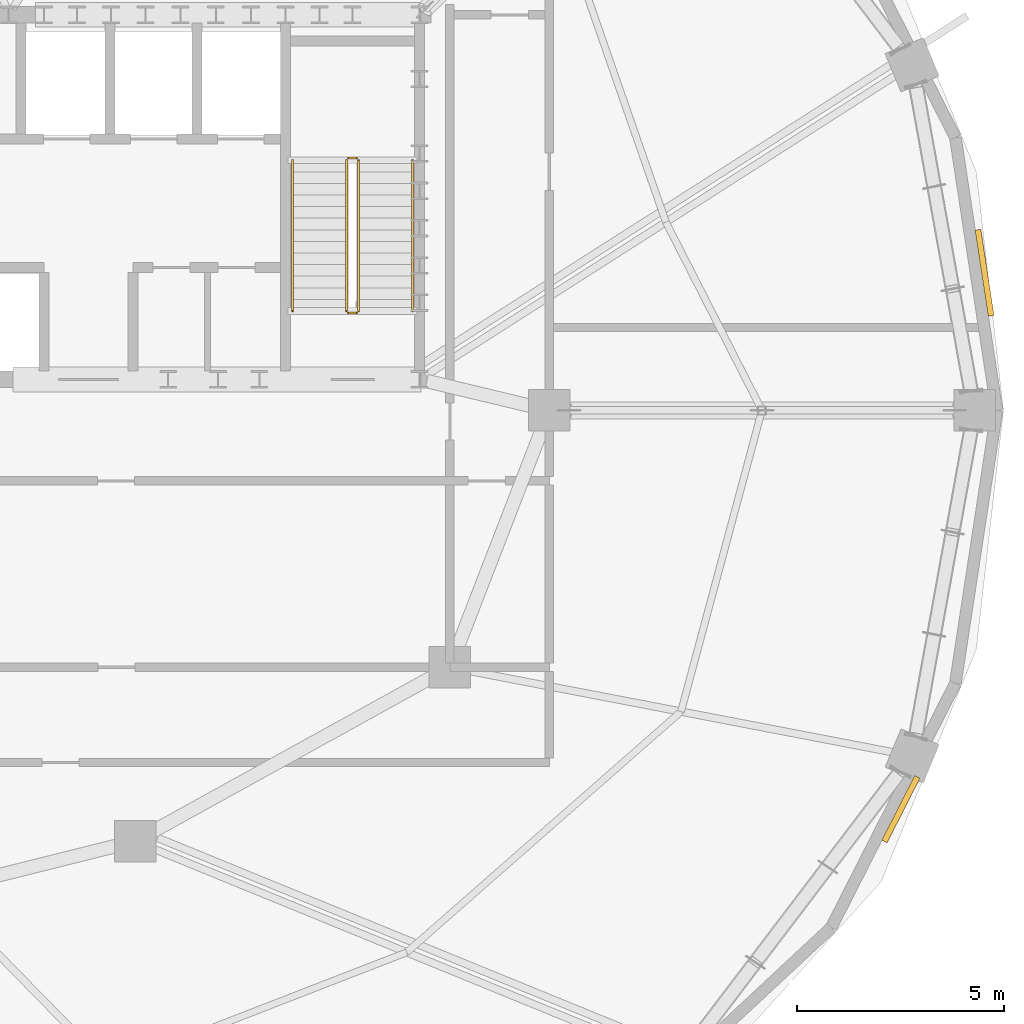
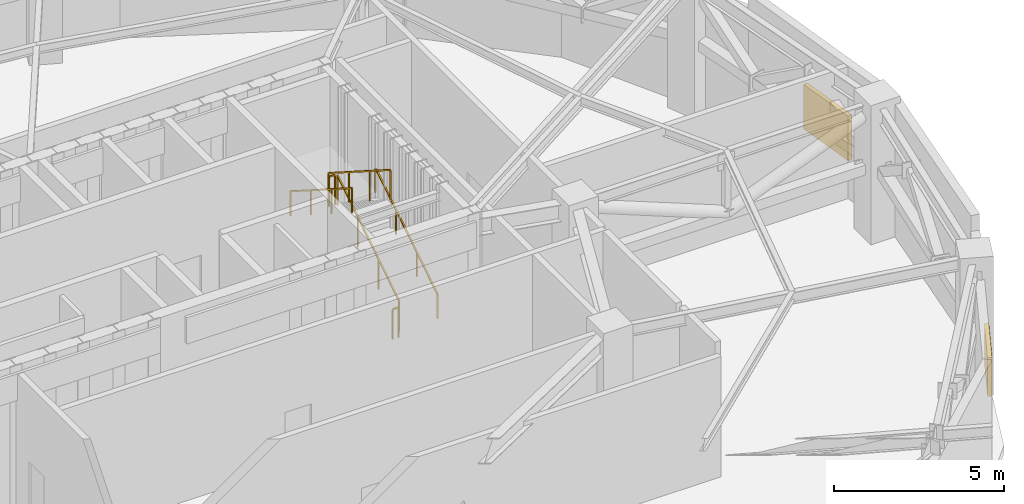
# One storey, part 19 of 20: 6 railings, 2 shading devices.
"""IFC4 building model written with IfcOpenShell, lengths in metres."""

from ifc_helpers import new_model, si_unit, direction, frame, origin, origin_2d, place, context, subcontext, project, spatial, rectangle, extrude, material, type_object, element, save


model = new_model("IFC4")

# Units and contexts
model_context = context("Model", 3, precision=1e-05, world=origin(), true_north=direction((0.0, 1.0)))
body_context = subcontext(model_context, "Body", "Model", "MODEL_VIEW")
ifc_project = project(units=[si_unit("LENGTHUNIT", "METRE"), si_unit("AREAUNIT", "SQUARE_METRE"), si_unit("VOLUMEUNIT", "CUBIC_METRE"), si_unit("PLANEANGLEUNIT", "RADIAN"), si_unit("MASSUNIT", "GRAM", prefix="KILO")], contexts=[model_context])

# Site, building, storey
site_placement = place(None, origin())
site = spatial("IfcSite", under=ifc_project, at=site_placement, CompositionType="ELEMENT")
building_placement = place(site_placement, origin())
building = spatial("IfcBuilding", under=site, at=building_placement, Name="Haldorwick Loom Tower", CompositionType="ELEMENT")
storey_placement = place(building_placement, frame((0.0, 0.0, 222.10009765625)))
storey = spatial("IfcBuildingStorey", under=building, at=storey_placement, Name="L60", CompositionType="ELEMENT", Elevation=222.10009765625)

# Railings
ifc_material_1 = material(Name="Steel CSA G40.21 350W", Category="steel")
railing_type_1 = type_object("IfcRailingType", Name="ARC-RLG-GUARD112", PredefinedType="GUARDRAIL", material=ifc_material_1)
railing_1_placement = place(storey_placement, frame((48.60009765625, 28.39990234375, 0.178466796875)))
element("IfcRailing", 1, at=railing_1_placement, inside=storey, type_object=railing_type_1, Name="L60 ST-02 stair guard 1", PredefinedType="GUARDRAIL", context=body_context, shape_type="SweptSolid", body=[
    extrude(rectangle(XDim=0.048095703125, YDim=0.048095703125, at=origin_2d()), frame((0.0, 0.0, 1.076171875), z_axis=(0.0, 0.843127859045, 0.537713132908), x_axis=(-1.0, 0.0, 0.0)), (0.0, 0.0, 1.0), 4.3173828125),
    extrude(rectangle(XDim=0.0419921875, YDim=0.0419921875, at=origin_2d()), origin(), (0.0, 0.0, 1.0), 1.052001953125),
    extrude(rectangle(XDim=0.0419921875, YDim=0.0419921875, at=origin_2d()), frame((0.0, 1.21337890625, 0.77392578125)), (0.0, 0.0, 1.0), 1.052001953125),
    extrude(rectangle(XDim=0.0419921875, YDim=0.0419921875, at=origin_2d()), frame((0.0, 2.4267578125, 1.547607421875)), (0.0, 0.0, 1.0), 1.052001953125),
    extrude(rectangle(XDim=0.0419921875, YDim=0.0419921875, at=origin_2d()), frame((0.0, 3.64013671875, 2.321533203125)), (0.0, 0.0, 1.0), 1.052001953125),
])
railing_2_placement = place(storey_placement, frame((48.550048828125, 32.090087890625, 2.5)))
element("IfcRailing", 2, at=railing_2_placement, inside=storey, type_object=railing_type_1, Name="L60 ST-02 stair guard 2", PredefinedType="GUARDRAIL", context=body_context, shape_type="SweptSolid", body=[
    extrude(rectangle(XDim=0.048095703125, YDim=0.048095703125, at=origin_2d()), frame((0.0, 0.0, 1.076171875), z_axis=(-1.0, 0.0, 0.0), x_axis=(0.0, -1.0, 0.0)), (0.0, 0.0, 1.0), 0.199951171875),
    extrude(rectangle(XDim=0.0419921875, YDim=0.0419921875, at=origin_2d()), origin(), (0.0, 0.0, 1.0), 1.052001953125),
    extrude(rectangle(XDim=0.0419921875, YDim=0.0419921875, at=origin_2d()), frame((-0.199951171875, 0.0, 0.0)), (0.0, 0.0, 1.0), 1.052001953125),
])
railing_3_placement = place(storey_placement, frame((48.300048828125, 32.0400390625, 2.678466796875)))
element("IfcRailing", 3, at=railing_3_placement, inside=storey, type_object=railing_type_1, Name="L60 ST-02 stair guard 3", PredefinedType="GUARDRAIL", context=body_context, shape_type="SweptSolid", body=[
    extrude(rectangle(XDim=0.048095703125, YDim=0.048095703125, at=origin_2d()), frame((0.0, 0.0, 1.076171875), z_axis=(0.0, -0.843127859045, 0.537713132908), x_axis=(1.0, 0.0, 0.0)), (0.0, 0.0, 1.0), 4.3173828125),
    extrude(rectangle(XDim=0.0419921875, YDim=0.0419921875, at=origin_2d()), origin(), (0.0, 0.0, 1.0), 1.052001953125),
    extrude(rectangle(XDim=0.0419921875, YDim=0.0419921875, at=origin_2d()), frame((0.0, -1.21337890625, 0.77392578125)), (0.0, 0.0, 1.0), 1.052001953125),
    extrude(rectangle(XDim=0.0419921875, YDim=0.0419921875, at=origin_2d()), frame((0.0, -2.4267578125, 1.547607421875)), (0.0, 0.0, 1.0), 1.052001953125),
    extrude(rectangle(XDim=0.0419921875, YDim=0.0419921875, at=origin_2d()), frame((0.0, -3.64013671875, 2.321533203125)), (0.0, 0.0, 1.0), 1.052001953125),
])
railing_4_placement = place(storey_placement, frame((48.550048828125, 28.35009765625, 0.0)))
element("IfcRailing", 4, at=railing_4_placement, inside=storey, type_object=railing_type_1, Name="L60 ST-02 stair guard 4", PredefinedType="GUARDRAIL", context=body_context, shape_type="SweptSolid", body=[
    extrude(rectangle(XDim=0.048095703125, YDim=0.048095703125, at=origin_2d()), frame((0.0, 0.0, 1.076171875), z_axis=(-1.0, 0.0, 0.0), x_axis=(0.0, -1.0, 0.0)), (0.0, 0.0, 1.0), 0.199951171875),
    extrude(rectangle(XDim=0.0419921875, YDim=0.0419921875, at=origin_2d()), origin(), (0.0, 0.0, 1.0), 1.052001953125),
    extrude(rectangle(XDim=0.0419921875, YDim=0.0419921875, at=origin_2d()), frame((-0.199951171875, 0.0, 0.0)), (0.0, 0.0, 1.0), 1.052001953125),
])
railing_type_2 = type_object("IfcRailingType", Name="ARC-RLG-HAND092", PredefinedType="HANDRAIL", material=ifc_material_1)
railing_5_placement = place(storey_placement, frame((49.89990234375, 28.39990234375, 0.178466796875)))
element("IfcRailing", 5, at=railing_5_placement, inside=storey, type_object=railing_type_2, Name="L60 ST-02 stair handrail 1", PredefinedType="HANDRAIL", context=body_context, shape_type="SweptSolid", body=[
    extrude(rectangle(XDim=0.048095703125, YDim=0.048095703125, at=origin_2d()), frame((0.0, 0.0, 0.8759765625), z_axis=(0.0, 0.843127859045, 0.537713132908), x_axis=(-1.0, 0.0, 0.0)), (0.0, 0.0, 1.0), 4.3173828125),
    extrude(rectangle(XDim=0.0419921875, YDim=0.0419921875, at=origin_2d()), origin(), (0.0, 0.0, 1.0), 0.851806640625),
    extrude(rectangle(XDim=0.0419921875, YDim=0.0419921875, at=origin_2d()), frame((0.0, 1.21337890625, 0.77392578125)), (0.0, 0.0, 1.0), 0.851806640625),
    extrude(rectangle(XDim=0.0419921875, YDim=0.0419921875, at=origin_2d()), frame((0.0, 2.4267578125, 1.547607421875)), (0.0, 0.0, 1.0), 0.851806640625),
    extrude(rectangle(XDim=0.0419921875, YDim=0.0419921875, at=origin_2d()), frame((0.0, 3.64013671875, 2.321533203125)), (0.0, 0.0, 1.0), 0.851806640625),
])
railing_6_placement = place(storey_placement, frame((47.0, 32.0400390625, 2.678466796875)))
element("IfcRailing", 6, at=railing_6_placement, inside=storey, type_object=railing_type_2, Name="L60 ST-02 stair handrail 2", PredefinedType="HANDRAIL", context=body_context, shape_type="SweptSolid", body=[
    extrude(rectangle(XDim=0.048095703125, YDim=0.048095703125, at=origin_2d()), frame((0.0, 0.0, 0.8759765625), z_axis=(0.0, -0.843127859045, 0.537713132908), x_axis=(1.0, 0.0, 0.0)), (0.0, 0.0, 1.0), 4.3173828125),
    extrude(rectangle(XDim=0.0419921875, YDim=0.0419921875, at=origin_2d()), origin(), (0.0, 0.0, 1.0), 0.851806640625),
    extrude(rectangle(XDim=0.0419921875, YDim=0.0419921875, at=origin_2d()), frame((0.0, -1.21337890625, 0.77392578125)), (0.0, 0.0, 1.0), 0.851806640625),
    extrude(rectangle(XDim=0.0419921875, YDim=0.0419921875, at=origin_2d()), frame((0.0, -2.4267578125, 1.547607421875)), (0.0, 0.0, 1.0), 0.851806640625),
    extrude(rectangle(XDim=0.0419921875, YDim=0.0419921875, at=origin_2d()), frame((0.0, -3.64013671875, 2.321533203125)), (0.0, 0.0, 1.0), 0.851806640625),
])

# Shading devices
ifc_material_2 = material(Name="Extruded Anodized Aluminium Weather Louvre", Category="aluminium")
shading_device_type_1 = type_object("IfcShadingDeviceType", Name="ARC-SHD-LOUVRE", PredefinedType="JALOUSIE", material=ifc_material_2)
shading_device_1_placement = place(storey_placement, frame((63.7080078125, 29.3232421875, 1.0498046875), z_axis=(0.0, 0.0, 1.0), x_axis=(-0.151260820247, 0.988493886809, 0.0)))
element("IfcShadingDevice", 7, at=shading_device_1_placement, inside=storey, type_object=shading_device_type_1, Name="L60 Mechanical Intake Weather Louvre 1", PredefinedType="JALOUSIE", context=body_context, shape_type="SweptSolid", body=[
    extrude(rectangle(XDim=2.10009765625, YDim=0.139892578125, at=origin_2d()), origin(), (0.0, 0.0, 1.0), 1.60009765625),
])
shading_device_type_2 = type_object("IfcShadingDeviceType", Name="ARC-SHD-LOUVRE2", PredefinedType="JALOUSIE", material=ifc_material_2)
shading_device_2_placement = place(storey_placement, frame((61.687744140625, 16.3720703125, 1.14990234375), z_axis=(0.0, 0.0, 1.0), x_axis=(0.452434709312, 0.891797529605, 0.0)))
element("IfcShadingDevice", 8, at=shading_device_2_placement, inside=storey, type_object=shading_device_type_2, Name="L60 Mechanical Intake Weather Louvre 23", PredefinedType="JALOUSIE", context=body_context, shape_type="SweptSolid", body=[
    extrude(rectangle(XDim=1.75, YDim=0.139892578125, at=origin_2d()), origin(), (0.0, 0.0, 1.0), 1.39990234375),
])

save(model, "model.ifc")
